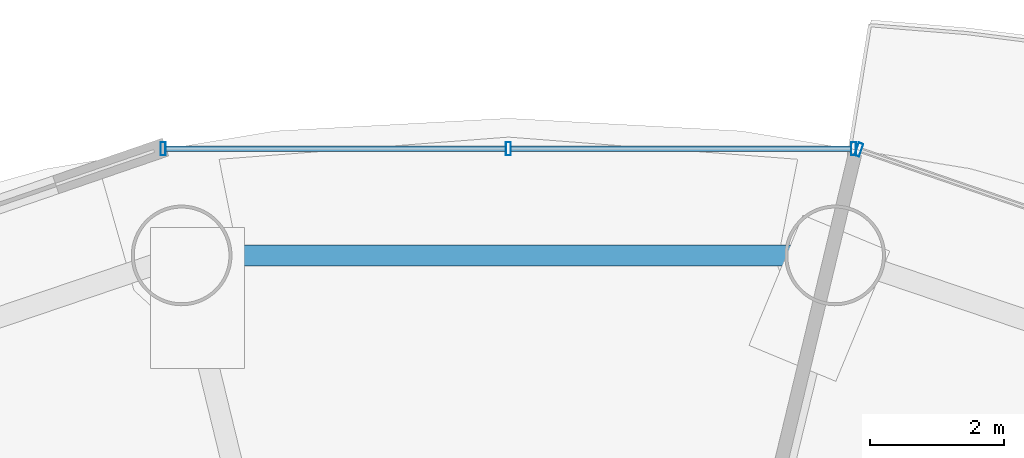
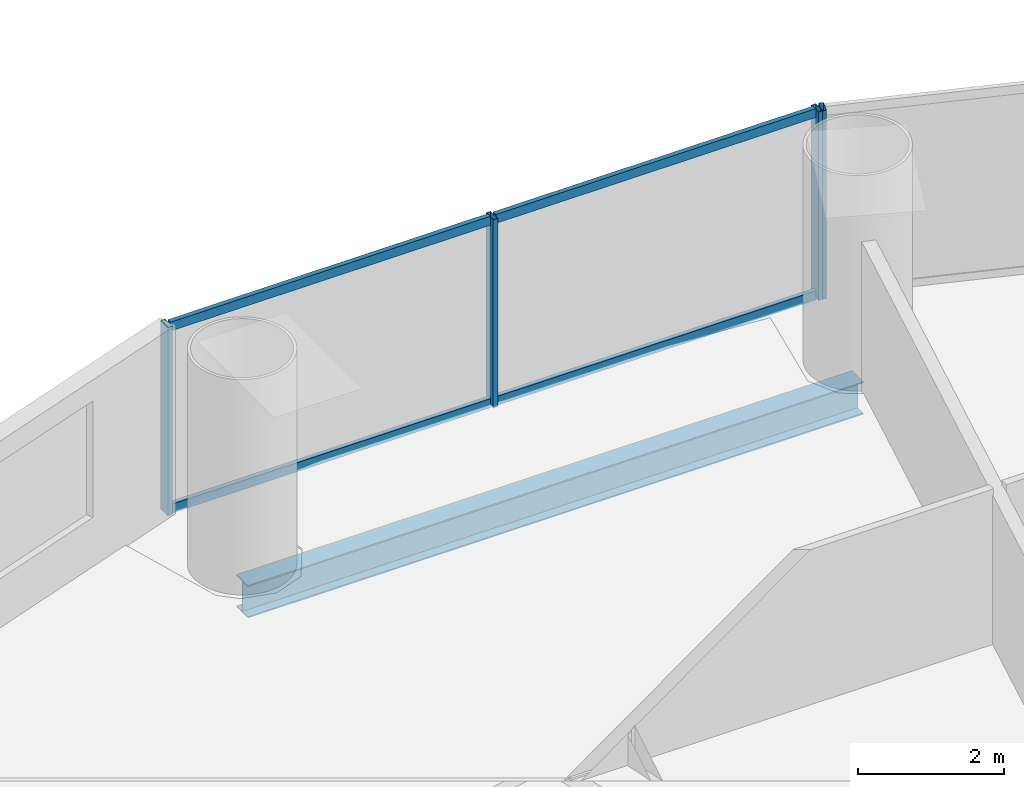
# One storey, part 18 of 29: 8 members, 1 beam, 2 elements without a shape of their own.
"""IFC4 building model written with IfcOpenShell, lengths in metres."""

from ifc_helpers import new_model, si_unit, direction, frame, origin, origin_2d, place, context, subcontext, project, spatial, hollow_rectangle, i_section, extrude, source, transform, mapped, material, material_profile, profile_set, type_object, element, aggregate, save


model = new_model("IFC4")

# Units and contexts
model_context = context("Model", 3, precision=1e-05, world=origin(), true_north=direction((-0.2419218956, 0.970295726276)))
body_context = subcontext(model_context, "Body", "Model", "MODEL_VIEW")
ifc_project = project(units=[si_unit("LENGTHUNIT", "METRE"), si_unit("AREAUNIT", "SQUARE_METRE"), si_unit("VOLUMEUNIT", "CUBIC_METRE"), si_unit("PLANEANGLEUNIT", "RADIAN"), si_unit("MASSUNIT", "GRAM", prefix="KILO")], contexts=[model_context])

# Site, building, storey
site_placement = place(None, origin())
site = spatial("IfcSite", under=ifc_project, at=site_placement, CompositionType="ELEMENT")
building_placement = place(site_placement, origin())
building = spatial("IfcBuilding", under=site, at=building_placement, Name="Cobrevalo Terracotta Tower", CompositionType="ELEMENT")
storey_placement = place(building_placement, frame((0.0, 0.0, 126.60009765625)))
storey = spatial("IfcBuildingStorey", under=building, at=storey_placement, Name="L33", CompositionType="ELEMENT", Elevation=126.60009765625)

# Beam
ifc_material_1 = material(Name="Steel S355", Category="steel")
ifc_material_profile_1 = material_profile(ifc_material_1, i_section(OverallWidth=0.31201171875, OverallDepth=0.54296875, WebThickness=0.0126953125, FlangeThickness=0.020263671875, at=origin_2d()), Name="W 530x150")
ifc_profile_set_1 = profile_set([ifc_material_profile_1], Name="Steel S355")
beam_type = type_object("IfcBeamType", Name="Structural Spandrel W 530x150 (Steel S355)", PredefinedType="SPANDREL", material=ifc_profile_set_1)
beam_placement = place(storey_placement, frame((42.867431640625, 46.857177734375, -0.546630859375), z_axis=(-1.0, 0.0, 0.0), x_axis=(0.0, -1.0, 0.0)))
element("IfcBeam", 1, at=beam_placement, inside=storey, type_object=beam_type, Name="L33 perimeter ring spandrel 04", PredefinedType="SPANDREL", context=body_context, shape_type="SweptSolid", body=[
    extrude(i_section(OverallWidth=0.31201171875, OverallDepth=0.54296875, WebThickness=0.0126953125, FlangeThickness=0.020263671875, at=origin_2d()), origin(), (0.0, 0.0, 1.0), 9.73486328125),
])

# Curtain wall, member
ifc_material_2 = material(Name="Anodized aluminium", Category="aluminium")
curtain_wall_type = type_object("IfcCurtainWallType", Name="Lower-tower unitised acoustic low-E curtain wall CW-U1", PredefinedType="NOTDEFINED", material=ifc_material_2)
curtain_wall_1_placement = place(storey_placement, origin())
curtain_wall_1 = element("IfcCurtainWall", 2, at=curtain_wall_1_placement, inside=storey, type_object=curtain_wall_type, Name="L33 curtain wall CW-L33-S03", PredefinedType="NOTDEFINED")
ifc_material_profile_2 = material_profile(ifc_material_2, hollow_rectangle(XDim=0.074951171875, YDim=0.199951171875, WallThickness=0.0048828125, at=origin_2d()), Name="CWM 75x200")
ifc_profile_set_2 = profile_set([ifc_material_profile_2], Name="Anodized aluminium")
member_type_1 = type_object("IfcMemberType", Name="Lower/mid tower unitised mullion 75x200", PredefinedType="MULLION", material=ifc_profile_set_2)
shared_shape_1 = source(origin(), body_context, "Body", "SweptSolid", [
    extrude(hollow_rectangle(XDim=0.074951171875, YDim=0.199951171875, WallThickness=0.0048828125, at=origin_2d()), origin(), (0.0, 0.0, 1.0), 3.14990234375),
])
member_1_placement = place(storey_placement, frame((43.221435546875, 48.432861328125, 0.0), z_axis=(0.0, 0.0, 1.0), x_axis=(-0.94559809868, 0.325337110968, 0.0)))
member_1 = element("IfcMember", 3, at=member_1_placement, type_object=member_type_1, Name="CW-L33-S03 vertical mullion 03", PredefinedType="MULLION", context=body_context, shape_type="MappedRepresentation", body=[
    mapped(shared_shape_1, transform((0.0, 0.0, 0.0), scale=1.0)),
])
aggregate(curtain_wall_1, [member_1])

# Curtain wall, members
curtain_wall_2_placement = place(storey_placement, origin())
curtain_wall_2 = element("IfcCurtainWall", 4, at=curtain_wall_2_placement, inside=storey, type_object=curtain_wall_type, Name="L33 curtain wall CW-L33-S04", PredefinedType="NOTDEFINED")
member_2_placement = place(storey_placement, frame((43.1435546875, 48.446044921875, 0.0), z_axis=(0.0, 0.0, 1.0), x_axis=(-1.0, 0.0, 0.0)))
member_2 = element("IfcMember", 5, at=member_2_placement, type_object=member_type_1, Name="CW-L33-S04 vertical mullion 01", PredefinedType="MULLION", context=body_context, shape_type="MappedRepresentation", body=[
    mapped(shared_shape_1, transform((0.0, 0.0, 0.0), scale=1.0)),
])
member_3_placement = place(storey_placement, frame((38.0, 48.446044921875, 0.0), z_axis=(0.0, 0.0, 1.0), x_axis=(-1.0, 0.0, 0.0)))
member_3 = element("IfcMember", 6, at=member_3_placement, type_object=member_type_1, Name="CW-L33-S04 vertical mullion 02", PredefinedType="MULLION", context=body_context, shape_type="MappedRepresentation", body=[
    mapped(shared_shape_1, transform((0.0, 0.0, 0.0), scale=1.0)),
])
member_4_placement = place(storey_placement, frame((32.8564453125, 48.446044921875, 0.0), z_axis=(0.0, 0.0, 1.0), x_axis=(-1.0, 0.0, 0.0)))
member_4 = element("IfcMember", 7, at=member_4_placement, type_object=member_type_1, Name="CW-L33-S04 vertical mullion 03", PredefinedType="MULLION", context=body_context, shape_type="MappedRepresentation", body=[
    mapped(shared_shape_1, transform((0.0, 0.0, 0.0), scale=1.0)),
])
ifc_material_profile_3 = material_profile(ifc_material_2, hollow_rectangle(XDim=0.074951171875, YDim=0.14990234375, WallThickness=0.00439453125, at=origin_2d()), Name="CWT 75x150")
ifc_profile_set_3 = profile_set([ifc_material_profile_3], Name="Anodized aluminium")
member_type_2 = type_object("IfcMemberType", Name="Tower unitised aluminium transom 75x150", PredefinedType="USERDEFINED", material=ifc_profile_set_3)
shared_shape_2 = source(origin(), body_context, "Body", "SweptSolid", [
    extrude(hollow_rectangle(XDim=0.074951171875, YDim=0.14990234375, WallThickness=0.00439453125, at=origin_2d()), origin(), (0.0, 0.0, 1.0), 5.0634765625),
])
member_5_placement = place(storey_placement, frame((43.103515625, 48.446044921875, 0.0498046875), z_axis=(-1.0, 0.0, 0.0), x_axis=(0.0, -1.0, 0.0)))
member_5 = element("IfcMember", 8, at=member_5_placement, type_object=member_type_2, Name="CW-L33-S04 transom B01-T1", ObjectType="TRANSOM", PredefinedType="USERDEFINED", context=body_context, shape_type="MappedRepresentation", body=[
    mapped(shared_shape_2, transform((0.0, 0.0, 0.0), scale=1.0)),
])
member_6_placement = place(storey_placement, frame((43.103515625, 48.446044921875, 3.099853515625), z_axis=(-1.0, 0.0, 0.0), x_axis=(0.0, -1.0, 0.0)))
member_6 = element("IfcMember", 9, at=member_6_placement, type_object=member_type_2, Name="CW-L33-S04 transom B01-T2", ObjectType="TRANSOM", PredefinedType="USERDEFINED", context=body_context, shape_type="MappedRepresentation", body=[
    mapped(shared_shape_2, transform((0.0, 0.0, 0.0), scale=1.0)),
])
member_7_placement = place(storey_placement, frame((37.9599609375, 48.446044921875, 0.0498046875), z_axis=(-1.0, 0.0, 0.0), x_axis=(0.0, -1.0, 0.0)))
member_7 = element("IfcMember", 10, at=member_7_placement, type_object=member_type_2, Name="CW-L33-S04 transom B02-T1", ObjectType="TRANSOM", PredefinedType="USERDEFINED", context=body_context, shape_type="MappedRepresentation", body=[
    mapped(shared_shape_2, transform((0.0, 0.0, 0.0), scale=1.0)),
])
member_8_placement = place(storey_placement, frame((37.9599609375, 48.446044921875, 3.099853515625), z_axis=(-1.0, 0.0, 0.0), x_axis=(0.0, -1.0, 0.0)))
member_8 = element("IfcMember", 11, at=member_8_placement, type_object=member_type_2, Name="CW-L33-S04 transom B02-T2", ObjectType="TRANSOM", PredefinedType="USERDEFINED", context=body_context, shape_type="MappedRepresentation", body=[
    mapped(shared_shape_2, transform((0.0, 0.0, 0.0), scale=1.0)),
])
aggregate(curtain_wall_2, [member_2, member_3, member_4, member_5, member_6, member_7, member_8])

save(model, "model.ifc")
